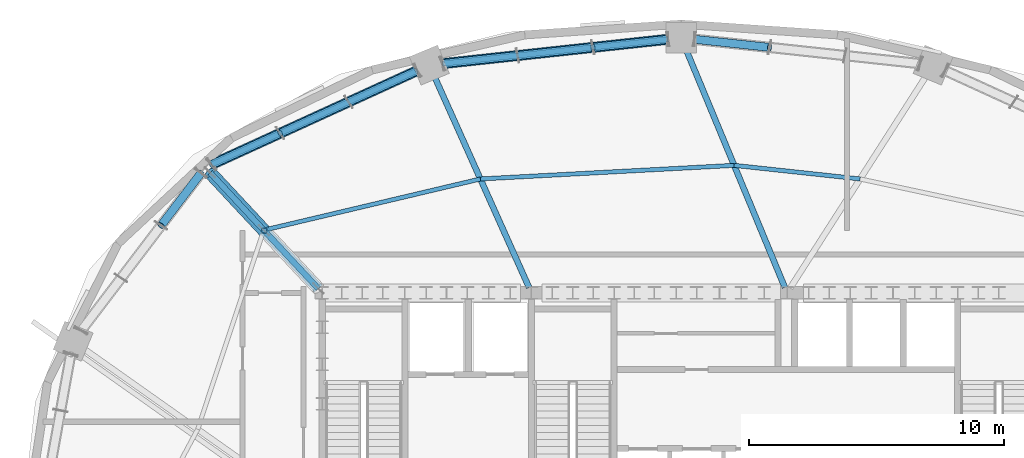
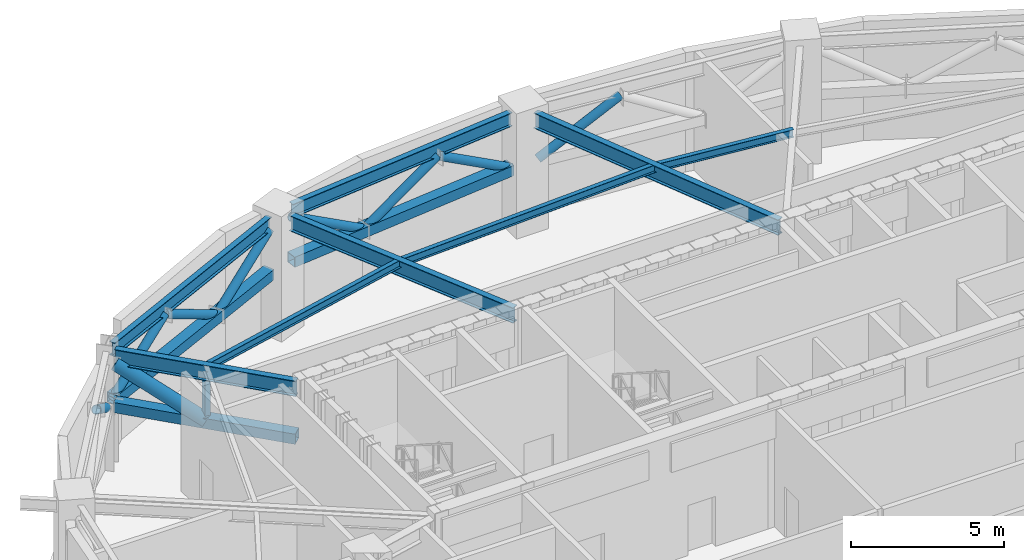
# One storey, part 5 of 17: 13 members, 8 beams.
"""IFC4 building model written with IfcOpenShell, lengths in metres."""

from ifc_helpers import new_model, si_unit, direction, frame, origin, origin_2d, place, context, subcontext, project, spatial, hollow_rectangle, hollow_circle, i_section, extrude, material, material_profile, profile_set, type_object, element, save


model = new_model("IFC4")

# Units and contexts
model_context = context("Model", 3, precision=1e-05, world=origin(), true_north=direction((0.0, 1.0)))
body_context = subcontext(model_context, "Body", "Model", "MODEL_VIEW")
ifc_project = project(units=[si_unit("LENGTHUNIT", "METRE"), si_unit("AREAUNIT", "SQUARE_METRE"), si_unit("VOLUMEUNIT", "CUBIC_METRE"), si_unit("PLANEANGLEUNIT", "RADIAN"), si_unit("MASSUNIT", "GRAM", prefix="KILO")], contexts=[model_context])

# Site, building, storey
site_placement = place(None, origin())
site = spatial("IfcSite", under=ifc_project, at=site_placement, CompositionType="ELEMENT")
building_placement = place(site_placement, origin())
building = spatial("IfcBuilding", under=site, at=building_placement, Name="Haldorwick Loom Tower", CompositionType="ELEMENT")
storey_placement = place(building_placement, frame((0.0, 0.0, 149.449951171875)))
storey = spatial("IfcBuildingStorey", under=building, at=storey_placement, Name="L40", CompositionType="ELEMENT", Elevation=149.449951171875)

# Beams
ifc_material = material(Name="Steel CSA G40.21 350W", Category="steel")
ifc_material_profile_1 = material_profile(ifc_material, i_section(OverallWidth=0.166015625, OverallDepth=0.31298828125, WebThickness=0.006591796875, FlangeThickness=0.01123046875, at=origin_2d()), Name="W310X45", Category="steel")
ifc_profile_set_1 = profile_set([ifc_material_profile_1], Name="Steel CSA G40.21 350W")
beam_type_1 = type_object("IfcBeamType", Name="STR-BM-J310", PredefinedType="JOIST", material=ifc_profile_set_1)
beam_1_placement = place(storey_placement, frame((43.01171875, 40.013916015625, 4.603515625), z_axis=(-0.994212584227, 0.107430616514, 0.0), x_axis=(-0.107430616514, -0.994212584227, 0.0)))
element("IfcBeam", 1, at=beam_1_placement, inside=storey, type_object=beam_type_1, Name="L40 Mid-Bay Secondary Joist 4", PredefinedType="JOIST", context=body_context, shape_type="SweptSolid", body=[
    extrude(i_section(OverallWidth=0.166015625, OverallDepth=0.31298828125, WebThickness=0.006591796875, FlangeThickness=0.01123046875, at=origin_2d()), origin(), (0.0, 0.0, 1.0), 4.965576171875),
])
beam_2_placement = place(storey_placement, frame((38.074951171875, 40.54736328125, 4.603515625), z_axis=(-0.998564927415, -0.053554511828, 0.0), x_axis=(0.053554511828, -0.998564927415, 0.0)))
element("IfcBeam", 2, at=beam_2_placement, inside=storey, type_object=beam_type_1, Name="L40 Mid-Bay Secondary Joist 5", PredefinedType="JOIST", context=body_context, shape_type="SweptSolid", body=[
    extrude(i_section(OverallWidth=0.166015625, OverallDepth=0.31298828125, WebThickness=0.006591796875, FlangeThickness=0.01123046875, at=origin_2d()), origin(), (0.0, 0.0, 1.0), 9.9609375),
])
beam_3_placement = place(storey_placement, frame((28.12841796875, 40.013916015625, 4.603515625), z_axis=(-0.973189168086, -0.230006180612, 0.0), x_axis=(0.230006180612, -0.973189168086, 0.0)))
element("IfcBeam", 3, at=beam_3_placement, inside=storey, type_object=beam_type_1, Name="L40 Mid-Bay Secondary Joist 6", PredefinedType="JOIST", context=body_context, shape_type="SweptSolid", body=[
    extrude(i_section(OverallWidth=0.166015625, OverallDepth=0.31298828125, WebThickness=0.006591796875, FlangeThickness=0.01123046875, at=origin_2d()), origin(), (0.0, 0.0, 1.0), 8.72509765625),
])
ifc_material_profile_2 = material_profile(ifc_material, i_section(OverallWidth=0.2119140625, OverallDepth=0.5439453125, WebThickness=0.01318359375, FlangeThickness=0.021240234375, at=origin_2d()), Name="W530X123", Category="steel")
ifc_profile_set_2 = profile_set([ifc_material_profile_2], Name="Steel CSA G40.21 350W")
beam_type_2 = type_object("IfcBeamType", Name="STR-BM-SP530", PredefinedType="SPANDREL", material=ifc_profile_set_2)
beam_4_placement = place(storey_placement, frame((35.48291015625, 45.48876953125, 4.488037109375), z_axis=(-0.994210140187, -0.107453232386, 0.0), x_axis=(0.107453232386, -0.994210140187, 0.0)))
element("IfcBeam", 4, at=beam_4_placement, inside=storey, type_object=beam_type_2, Name="L40 Perimeter Spandrel 5", PredefinedType="SPANDREL", context=body_context, shape_type="SweptSolid", body=[
    extrude(i_section(OverallWidth=0.2119140625, OverallDepth=0.5439453125, WebThickness=0.01318359375, FlangeThickness=0.021240234375, at=origin_2d()), origin(), (0.0, 0.0, 1.0), 8.890625),
])
beam_5_placement = place(storey_placement, frame((25.65380859375, 44.261474609375, 4.488037109375), z_axis=(-0.909534296496, -0.415628877121, 0.0), x_axis=(0.415628877121, -0.909534296496, 0.0)))
element("IfcBeam", 5, at=beam_5_placement, inside=storey, type_object=beam_type_2, Name="L40 Perimeter Spandrel 6", PredefinedType="SPANDREL", context=body_context, shape_type="SweptSolid", body=[
    extrude(i_section(OverallWidth=0.2119140625, OverallDepth=0.5439453125, WebThickness=0.01318359375, FlangeThickness=0.021240234375, at=origin_2d()), origin(), (0.0, 0.0, 1.0), 8.86083984375),
])
ifc_material_profile_3 = material_profile(ifc_material, i_section(OverallWidth=0.22998046875, OverallDepth=0.616943359375, WebThickness=0.01318359375, FlangeThickness=0.022216796875, at=origin_2d()), Name="W610X140", Category="steel")
ifc_profile_set_3 = profile_set([ifc_material_profile_3], Name="Steel CSA G40.21 350W")
beam_type_3 = type_object("IfcBeamType", Name="STR-BM-W610B", PredefinedType="BEAM", material=ifc_profile_set_3)
beam_6_placement = place(storey_placement, frame((40.063720703125, 35.7578125, 4.45166015625), z_axis=(-0.383472813848, 0.923552164764, 0.0), x_axis=(-0.923552164764, -0.383472813848, 0.0)))
element("IfcBeam", 6, at=beam_6_placement, inside=storey, type_object=beam_type_3, Name="L40 Radial Floor Girder 5", PredefinedType="BEAM", context=body_context, shape_type="SweptSolid", body=[
    extrude(i_section(OverallWidth=0.22998046875, OverallDepth=0.616943359375, WebThickness=0.01318359375, FlangeThickness=0.022216796875, at=origin_2d()), origin(), (0.0, 0.0, 1.0), 10.076904296875),
])
beam_7_placement = place(storey_placement, frame((30.037841796875, 35.75537109375, 4.45166015625), z_axis=(-0.409143536778, 0.912470035844, 0.0), x_axis=(-0.912470035844, -0.409143536778, 0.0)))
element("IfcBeam", 7, at=beam_7_placement, inside=storey, type_object=beam_type_3, Name="L40 Radial Floor Girder 6", PredefinedType="BEAM", context=body_context, shape_type="SweptSolid", body=[
    extrude(i_section(OverallWidth=0.22998046875, OverallDepth=0.616943359375, WebThickness=0.01318359375, FlangeThickness=0.022216796875, at=origin_2d()), origin(), (0.0, 0.0, 1.0), 9.0390625),
])
beam_8_placement = place(storey_placement, frame((21.776611328125, 35.714599609375, 4.45166015625), z_axis=(-0.682256728841, 0.731112683484, 0.0), x_axis=(-0.731112683484, -0.682256728841, 0.0)))
element("IfcBeam", 8, at=beam_8_placement, inside=storey, type_object=beam_type_3, Name="L40 Radial Floor Girder 7", PredefinedType="BEAM", context=body_context, shape_type="SweptSolid", body=[
    extrude(i_section(OverallWidth=0.22998046875, OverallDepth=0.616943359375, WebThickness=0.01318359375, FlangeThickness=0.022216796875, at=origin_2d()), origin(), (0.0, 0.0, 1.0), 6.221435546875),
])

# Members
ifc_material_profile_4 = material_profile(ifc_material, hollow_circle(Radius=0.161865234375, WallThickness=0.0126953125, at=origin_2d()), Name="HSS324X13", Category="steel")
ifc_profile_set_4 = profile_set([ifc_material_profile_4], Name="Steel CSA G40.21 350W")
member_type_1 = type_object("IfcMemberType", Name="STR-MEM-BR324C", PredefinedType="BRACE", material=ifc_profile_set_4)
for number, where, z_axis, x_axis, name in (
    (9, (39.46337890625, 45.17041015625, 4.216064453125), (-0.860368862403, 0.092966605616, -0.50112137337), (-0.107429021755, -0.994212756549, 0.0), "L40 Perimeter Belt Truss Web Diagonal 4-3"),
    (10, (35.48291015625, 45.48876953125, 2.5), (-0.860368862403, -0.092966605616, 0.50112137337), (0.107429021755, -0.994212756549, 0.0), "L40 Perimeter Belt Truss Web Diagonal 5-1"),
    (11, (32.53662109375, 45.17041015625, 4.216064453125), (-0.860381676264, -0.093031575733, -0.501087314812), (0.107501649064, -0.994204906168, 0.0), "L40 Perimeter Belt Truss Web Diagonal 5-2"),
    (12, (29.590087890625, 44.851806640625, 2.5), (-0.860368862403, -0.092966605616, 0.50112137337), (0.107429021755, -0.994212756549, 0.0), "L40 Perimeter Belt Truss Web Diagonal 5-3"),
):
    element("IfcMember", number, at=place(storey_placement, frame(where, z_axis=z_axis, x_axis=x_axis)), inside=storey, type_object=member_type_1, Name=name, PredefinedType="BRACE", context=body_context, shape_type="SweptSolid", body=[
        extrude(hollow_circle(Radius=0.161865234375, WallThickness=0.0126953125, at=origin_2d()), origin(), (0.0, 0.0, 1.0), 3.424560546875),
    ])
member_1_placement = place(storey_placement, frame((25.65380859375, 44.261474609375, 4.216064453125), z_axis=(-0.786430050065, -0.359410825316, -0.502346130671), x_axis=(0.415664045194, -0.909518224959, 0.0)))
element("IfcMember", 13, at=member_1_placement, inside=storey, type_object=member_type_1, Name="L40 Perimeter Belt Truss Web Diagonal 6-1", PredefinedType="BRACE", context=body_context, shape_type="SweptSolid", body=[
    extrude(hollow_circle(Radius=0.161865234375, WallThickness=0.0126953125, at=origin_2d()), origin(), (0.0, 0.0, 1.0), 3.416015625),
])
member_2_placement = place(storey_placement, frame((22.96728515625, 43.03369140625, 2.5), z_axis=(-0.786422981649, -0.359368785943, 0.502387270564), x_axis=(0.415626915396, -0.909535192941, 0.0)))
element("IfcMember", 14, at=member_2_placement, inside=storey, type_object=member_type_1, Name="L40 Perimeter Belt Truss Web Diagonal 6-2", PredefinedType="BRACE", context=body_context, shape_type="SweptSolid", body=[
    extrude(hollow_circle(Radius=0.161865234375, WallThickness=0.0126953125, at=origin_2d()), origin(), (0.0, 0.0, 1.0), 3.415771484375),
])
member_3_placement = place(storey_placement, frame((20.281005859375, 41.80615234375, 4.216064453125), z_axis=(-0.786450249272, -0.359348587181, -0.502359033273), x_axis=(0.415595668828, -0.90954947092, 0.0)))
element("IfcMember", 15, at=member_3_placement, inside=storey, type_object=member_type_1, Name="L40 Perimeter Belt Truss Web Diagonal 6-3", PredefinedType="BRACE", context=body_context, shape_type="SweptSolid", body=[
    extrude(hollow_circle(Radius=0.161865234375, WallThickness=0.0126953125, at=origin_2d()), origin(), (0.0, 0.0, 1.0), 3.416015625),
])
member_4_placement = place(storey_placement, frame((17.177978515625, 40.245361328125, 2.5), z_axis=(-0.504523015018, -0.663287349076, 0.552726351708), x_axis=(0.795916661695, -0.605406200526, 0.0)))
element("IfcMember", 16, at=member_4_placement, inside=storey, type_object=member_type_1, Name="L40 Perimeter Belt Truss Web Diagonal 7-1", PredefinedType="BRACE", context=body_context, shape_type="SweptSolid", body=[
    extrude(hollow_circle(Radius=0.161865234375, WallThickness=0.0126953125, at=origin_2d()), origin(), (0.0, 0.0, 1.0), 3.104736328125),
])
ifc_material_profile_5 = material_profile(ifc_material, hollow_circle(Radius=0.25390625, WallThickness=0.015869140625, at=origin_2d()), Name="HSS508X16", Category="steel")
ifc_profile_set_5 = profile_set([ifc_material_profile_5], Name="Steel CSA G40.21 350W")
member_type_2 = type_object("IfcMemberType", Name="STR-MEM-BR508", PredefinedType="BRACE", material=ifc_profile_set_5)
member_5_placement = place(storey_placement, frame((19.654296875, 37.98876953125, 2.5), z_axis=(-0.603260309268, 0.646494080426, 0.467035762266), x_axis=(-0.731130948712, -0.682237155126, 0.0)))
element("IfcMember", 17, at=member_5_placement, inside=storey, type_object=member_type_2, Name="L40 Outrigger OT-NW Outer Diagonal", PredefinedType="BRACE", context=body_context, shape_type="SweptSolid", body=[
    extrude(hollow_circle(Radius=0.25390625, WallThickness=0.015869140625, at=origin_2d()), origin(), (0.0, 0.0, 1.0), 3.51806640625),
])
ifc_material_profile_6 = material_profile(ifc_material, hollow_rectangle(XDim=0.406494140625, YDim=0.406494140625, WallThickness=0.015869140625, at=origin_2d()), Name="HSS406X406X16", Category="steel")
ifc_profile_set_6 = profile_set([ifc_material_profile_6], Name="Steel CSA G40.21 350W")
member_type_3 = type_object("IfcMemberType", Name="STR-MEM-CH406", PredefinedType="CHORD", material=ifc_profile_set_6)
member_6_placement = place(storey_placement, frame((35.48291015625, 45.48876953125, 2.5), z_axis=(-0.994210140187, -0.107453232386, 0.0), x_axis=(0.107453232386, -0.994210140187, 0.0)))
element("IfcMember", 18, at=member_6_placement, inside=storey, type_object=member_type_3, Name="L40 Perimeter Belt Truss Bottom Chord 5", PredefinedType="CHORD", context=body_context, shape_type="SweptSolid", body=[
    extrude(hollow_rectangle(XDim=0.406494140625, YDim=0.406494140625, WallThickness=0.015869140625, at=origin_2d()), origin(), (0.0, 0.0, 1.0), 8.890625),
])
member_7_placement = place(storey_placement, frame((25.65380859375, 44.261474609375, 2.5), z_axis=(-0.909534296496, -0.415628877121, 0.0), x_axis=(0.415628877121, -0.909534296496, 0.0)))
element("IfcMember", 19, at=member_7_placement, inside=storey, type_object=member_type_3, Name="L40 Perimeter Belt Truss Bottom Chord 6", PredefinedType="CHORD", context=body_context, shape_type="SweptSolid", body=[
    extrude(hollow_rectangle(XDim=0.406494140625, YDim=0.406494140625, WallThickness=0.015869140625, at=origin_2d()), origin(), (0.0, 0.0, 1.0), 8.86083984375),
])
member_8_placement = place(storey_placement, frame((21.776611328125, 35.714599609375, 2.5), z_axis=(-0.682256728841, 0.731112683484, 0.0), x_axis=(-0.731112683484, -0.682256728841, 0.0)))
element("IfcMember", 20, at=member_8_placement, inside=storey, type_object=member_type_3, Name="L40 Outrigger OT-NW Bottom Chord", PredefinedType="CHORD", context=body_context, shape_type="SweptSolid", body=[
    extrude(hollow_rectangle(XDim=0.406494140625, YDim=0.406494140625, WallThickness=0.015869140625, at=origin_2d()), origin(), (0.0, 0.0, 1.0), 6.221435546875),
])
ifc_material_profile_7 = material_profile(ifc_material, hollow_rectangle(XDim=0.203125, YDim=0.203125, WallThickness=0.009521484375, at=origin_2d()), Name="HSS203X203X10", Category="steel")
ifc_profile_set_7 = profile_set([ifc_material_profile_7], Name="Steel CSA G40.21 350W")
member_type_4 = type_object("IfcMemberType", Name="STR-MEM-ST203", PredefinedType="STRUT", material=ifc_profile_set_7)
member_9_placement = place(storey_placement, frame((19.654296875, 37.98876953125, 2.5), z_axis=(0.0, 0.0, 1.0), x_axis=(1.0, 0.0, 0.0)))
element("IfcMember", 21, at=member_9_placement, inside=storey, type_object=member_type_4, Name="L40 Outrigger OT-NW Mid Post", PredefinedType="STRUT", context=body_context, shape_type="SweptSolid", body=[
    extrude(hollow_rectangle(XDim=0.203125, YDim=0.203125, WallThickness=0.009521484375, at=origin_2d()), origin(), (0.0, 0.0, 1.0), 1.64306640625),
])

save(model, "model.ifc")
